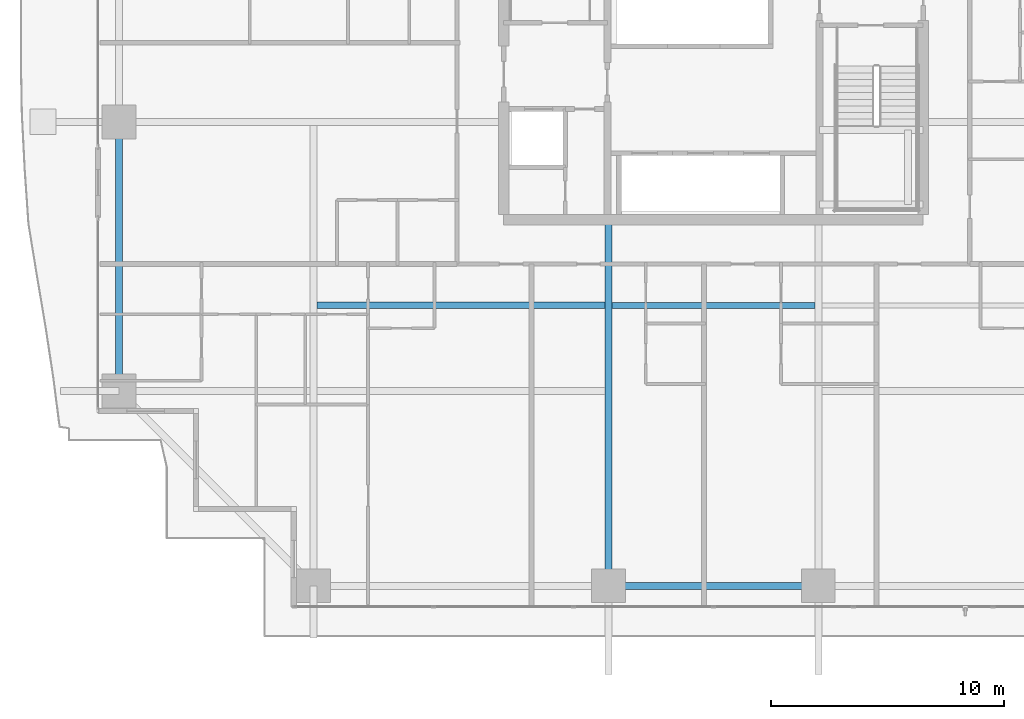
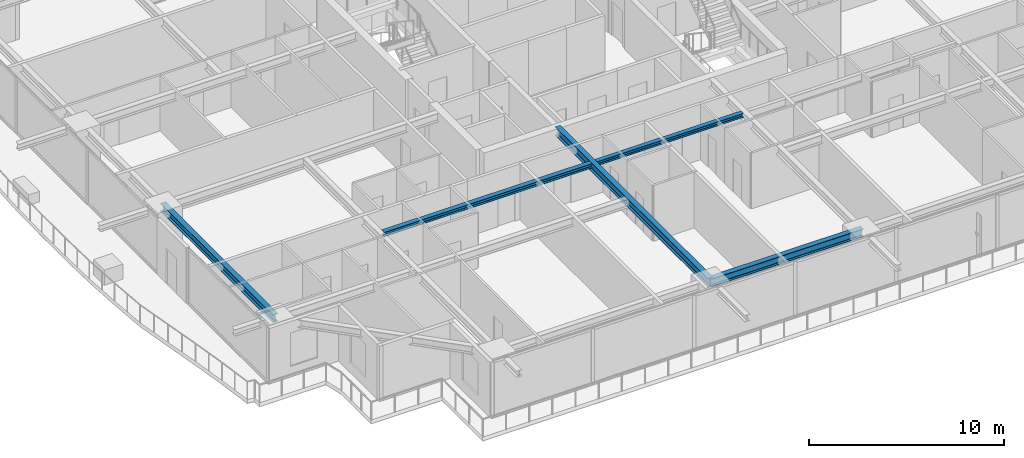
# One storey, part 5 of 36: 5 beams.
"""IFC4 building model written with IfcOpenShell, lengths in metres."""

from ifc_helpers import new_model, si_unit, direction, frame, origin, origin_2d, place, context, subcontext, project, spatial, i_section, extrude, source, transform, mapped, material, material_profile, profile_set, type_object, element, save


model = new_model("IFC4")

# Units and contexts
model_context = context("Model", 3, precision=1e-05, world=origin(), true_north=direction((0.0, 1.0)))
body_context = subcontext(model_context, "Body", "Model", "MODEL_VIEW")
ifc_project = project(units=[si_unit("LENGTHUNIT", "METRE"), si_unit("AREAUNIT", "SQUARE_METRE"), si_unit("VOLUMEUNIT", "CUBIC_METRE"), si_unit("PLANEANGLEUNIT", "RADIAN"), si_unit("MASSUNIT", "GRAM", prefix="KILO")], contexts=[model_context])

# Site, building, storey
site_placement = place(None, origin())
site = spatial("IfcSite", under=ifc_project, at=site_placement, CompositionType="ELEMENT")
building_placement = place(site_placement, origin())
building = spatial("IfcBuilding", under=site, at=building_placement, Name="Serunith Strait Residences", CompositionType="ELEMENT")
storey_placement = place(building_placement, frame((0.0, 0.0, 86.699951171875)))
storey = spatial("IfcBuildingStorey", under=building, at=storey_placement, Name="L21", CompositionType="ELEMENT", Elevation=86.699951171875)

# Beams
ifc_material = material(Name="Steel S355J2", Category="steel")
ifc_material_profile_1 = material_profile(ifc_material, i_section(OverallWidth=0.300048828125, OverallDepth=0.550048828125, WebThickness=0.014892578125, FlangeThickness=0.029052734375, FilletRadius=0.027099609375, at=origin_2d()), Name="HEB 550")
ifc_profile_set_1 = profile_set([ifc_material_profile_1], Name="Steel S355J2")
beam_type_1 = type_object("IfcBeamType", Name="BM-HEB550", PredefinedType="BEAM", material=ifc_profile_set_1)
shared_shape_1 = source(origin(), body_context, "Body", "SweptSolid", [
    extrude(i_section(OverallWidth=0.300048828125, OverallDepth=0.550048828125, WebThickness=0.014892578125, FlangeThickness=0.029052734375, FilletRadius=0.027099609375, at=origin_2d()), origin(), (0.0, 0.0, 1.0), 15.699951171875),
])
beam_1_placement = place(storey_placement, frame((27.89990234375, 16.800048828125, 3.212158203125), z_axis=(0.0, -1.0, 0.0), x_axis=(1.0, 0.0, 0.0)))
element("IfcBeam", 1, at=beam_1_placement, inside=storey, type_object=beam_type_1, Name="L21 Primary Floor Girder TC-S2", PredefinedType="BEAM", context=body_context, shape_type="MappedRepresentation", body=[
    mapped(shared_shape_1, transform((0.0, 0.0, 0.0), scale=1.0)),
])
ifc_material_profile_2 = material_profile(ifc_material, i_section(OverallWidth=0.300048828125, OverallDepth=0.5, WebThickness=0.014404296875, FlangeThickness=0.028076171875, FilletRadius=0.027099609375, at=origin_2d()), Name="HEB 500")
ifc_profile_set_2 = profile_set([ifc_material_profile_2], Name="Steel S355J2")
beam_type_2 = type_object("IfcBeamType", Name="BM-HEB500", PredefinedType="BEAM", material=ifc_profile_set_2)
shared_shape_2 = source(origin(), body_context, "Body", "SweptSolid", [
    extrude(i_section(OverallWidth=0.300048828125, OverallDepth=0.5, WebThickness=0.014404296875, FlangeThickness=0.028076171875, FilletRadius=0.027099609375, at=origin_2d()), origin(), (0.0, 0.0, 1.0), 9.0),
])
beam_2_placement = place(storey_placement, frame((27.89990234375, 1.10009765625, 3.237060546875), z_axis=(1.0, 0.0, 0.0), x_axis=(0.0, 1.0, 0.0)))
element("IfcBeam", 2, at=beam_2_placement, inside=storey, type_object=beam_type_2, Name="L21 Perimeter Ring Beam 02", PredefinedType="BEAM", context=body_context, shape_type="MappedRepresentation", body=[
    mapped(shared_shape_2, transform((0.0, 0.0, 0.0), scale=1.0)),
])
shared_shape_3 = source(origin(), body_context, "Body", "SweptSolid", [
    extrude(i_section(OverallWidth=0.300048828125, OverallDepth=0.5, WebThickness=0.014404296875, FlangeThickness=0.028076171875, FilletRadius=0.027099609375, at=origin_2d()), origin(), (0.0, 0.0, 1.0), 11.550048828125),
])
beam_3_placement = place(storey_placement, frame((6.89990234375, 21.0, 3.237060546875), z_axis=(0.0, -1.0, 0.0), x_axis=(1.0, 0.0, 0.0)))
element("IfcBeam", 3, at=beam_3_placement, inside=storey, type_object=beam_type_2, Name="L21 Perimeter Ring Beam 15", PredefinedType="BEAM", context=body_context, shape_type="MappedRepresentation", body=[
    mapped(shared_shape_3, transform((0.0, 0.0, 0.0), scale=1.0)),
])
ifc_material_profile_3 = material_profile(ifc_material, i_section(OverallWidth=0.280029296875, OverallDepth=0.280029296875, WebThickness=0.010498046875, FlangeThickness=0.01806640625, FilletRadius=0.02392578125, at=origin_2d()), Name="HEB 280")
ifc_profile_set_3 = profile_set([ifc_material_profile_3], Name="Steel S355J2")
beam_type_3 = type_object("IfcBeamType", Name="BM-HEB280", PredefinedType="JOIST", material=ifc_profile_set_3)
shared_shape_4 = source(origin(), body_context, "Body", "SweptSolid", [
    extrude(i_section(OverallWidth=0.280029296875, OverallDepth=0.280029296875, WebThickness=0.010498046875, FlangeThickness=0.01806640625, FilletRadius=0.02392578125, at=origin_2d()), origin(), (0.0, 0.0, 1.0), 12.35009765625),
])
beam_4_placement = place(storey_placement, frame((15.39990234375, 13.125, 3.34716796875), z_axis=(1.0, 0.0, 0.0), x_axis=(0.0, 1.0, 0.0)))
element("IfcBeam", 4, at=beam_4_placement, inside=storey, type_object=beam_type_3, Name="L21 Composite Floor Joist 01", PredefinedType="JOIST", context=body_context, shape_type="MappedRepresentation", body=[
    mapped(shared_shape_4, transform((0.0, 0.0, 0.0), scale=1.0)),
])
ifc_material_profile_4 = material_profile(ifc_material, i_section(OverallWidth=0.260009765625, OverallDepth=0.260009765625, WebThickness=0.010009765625, FlangeThickness=0.017578125, FilletRadius=0.02392578125, at=origin_2d()), Name="HEB 260")
ifc_profile_set_4 = profile_set([ifc_material_profile_4], Name="Steel S355J2")
beam_type_4 = type_object("IfcBeamType", Name="BM-HEB260", PredefinedType="JOIST", material=ifc_profile_set_4)
shared_shape_5 = source(origin(), body_context, "Body", "SweptSolid", [
    extrude(i_section(OverallWidth=0.260009765625, OverallDepth=0.260009765625, WebThickness=0.010009765625, FlangeThickness=0.017578125, FilletRadius=0.02392578125, at=origin_2d()), origin(), (0.0, 0.0, 1.0), 8.699951171875),
])
beam_5_placement = place(storey_placement, frame((28.050048828125, 13.125, 3.35693359375), z_axis=(1.0, 0.0, 0.0), x_axis=(0.0, 1.0, 0.0)))
element("IfcBeam", 5, at=beam_5_placement, inside=storey, type_object=beam_type_4, Name="L21 Composite Floor Joist 02", PredefinedType="JOIST", context=body_context, shape_type="MappedRepresentation", body=[
    mapped(shared_shape_5, transform((0.0, 0.0, 0.0), scale=1.0)),
])

save(model, "model.ifc")
